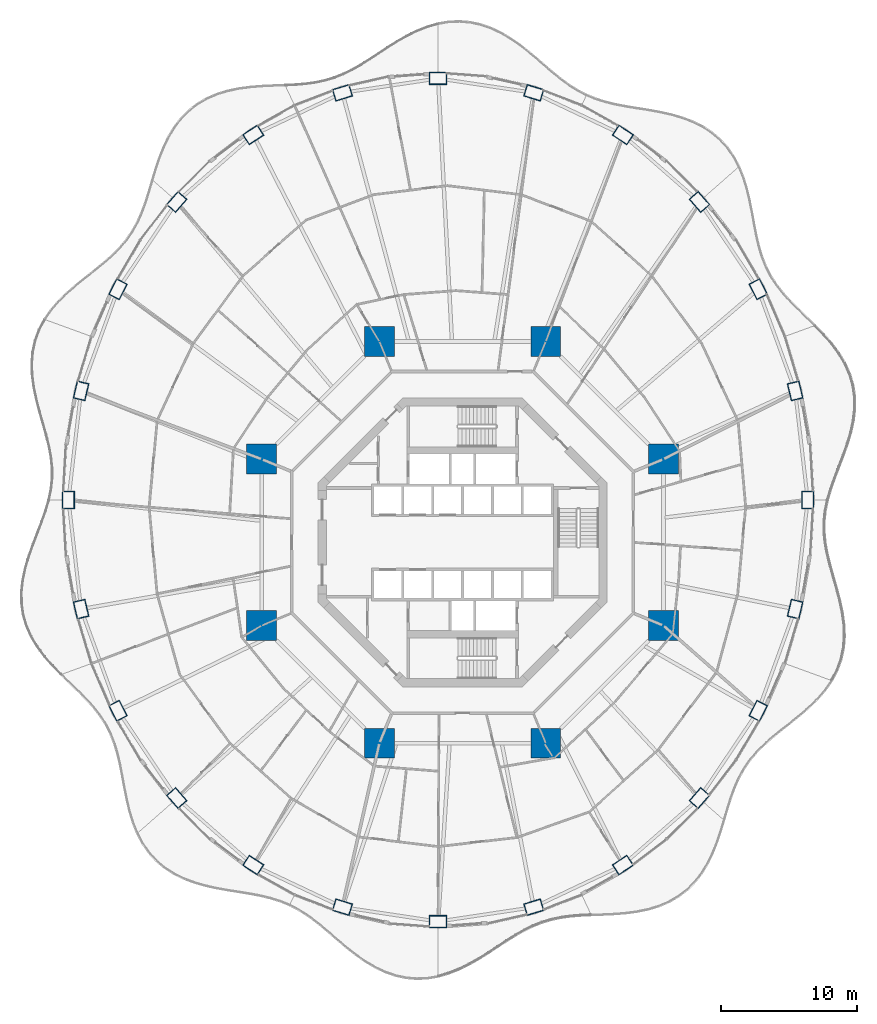
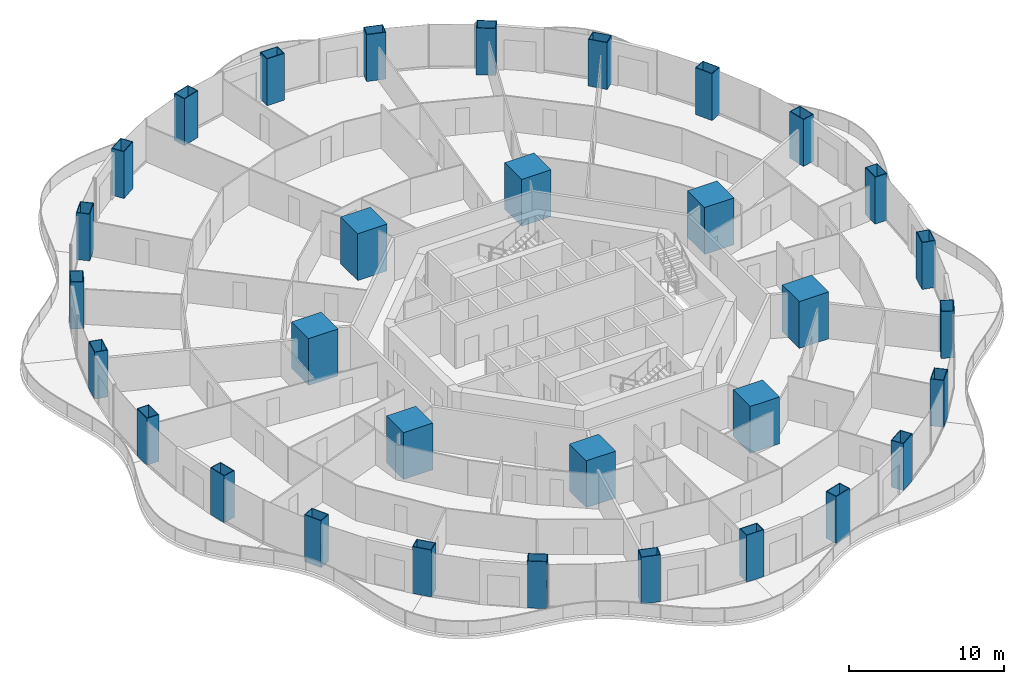
# One storey, part 1 of 22: 32 columns.
"""IFC4 building model written with IfcOpenShell, lengths in metres."""

from ifc_helpers import new_model, si_unit, direction, frame, origin, origin_2d, place, context, subcontext, project, spatial, rectangle, hollow_rectangle, extrude, material, material_profile, profile_set, type_object, element, save


model = new_model("IFC4")

# Units and contexts
model_context = context("Model", 3, precision=1e-05, world=origin(), true_north=direction((0.0, 1.0)))
body_context = subcontext(model_context, "Body", "Model", "MODEL_VIEW")
ifc_project = project(units=[si_unit("LENGTHUNIT", "METRE"), si_unit("AREAUNIT", "SQUARE_METRE"), si_unit("VOLUMEUNIT", "CUBIC_METRE"), si_unit("PLANEANGLEUNIT", "RADIAN"), si_unit("MASSUNIT", "GRAM", prefix="KILO")], contexts=[model_context])

# Site, building, storey
site_placement = place(None, origin())
site = spatial("IfcSite", under=ifc_project, at=site_placement, CompositionType="ELEMENT")
building_placement = place(site_placement, origin())
building = spatial("IfcBuilding", under=site, at=building_placement, Name="Nagisa Residences", CompositionType="ELEMENT")
storey_placement = place(building_placement, frame((0.0, 0.0, 77.0)))
storey = spatial("IfcBuildingStorey", under=building, at=storey_placement, Name="L18", CompositionType="ELEMENT", Elevation=77.0)

# Columns
ifc_material_1 = material(Name="Concrete C80", Category="concrete")
ifc_material_profile_1 = material_profile(ifc_material_1, rectangle(XDim=2.199951171875, YDim=2.199951171875, at=origin_2d()), Name="C80 2200x2200")
ifc_profile_set_1 = profile_set([ifc_material_profile_1], Name="Concrete C80")
column_type_1 = type_object("IfcColumnType", Name="Inner megacolumn C80 2200x2200", PredefinedType="COLUMN", material=ifc_profile_set_1)
for number, where, z_axis, x_axis, name in (
    (1, (14.781982421875, 6.123046875, 0.0), (0.0, 0.0, 1.0), (1.0, 0.0, 0.0), "col:L18:i1"),
    (2, (6.123046875, 14.781982421875, 0.0), (0.0, 0.0, 1.0), (1.0, 0.0, 0.0), "col:L18:i2"),
    (3, (-6.123046875, 14.781982421875, 0.0), (0.0, 0.0, 1.0), (1.0, 0.0, 0.0), "col:L18:i3"),
    (4, (-14.781982421875, 6.123046875, 0.0), (0.0, 0.0, 1.0), (1.0, 0.0, 0.0), "col:L18:i4"),
    (5, (-14.781982421875, -6.123046875, 0.0), (0.0, 0.0, 1.0), (1.0, 0.0, 0.0), "col:L18:i5"),
    (6, (-6.123046875, -14.781982421875, 0.0), (0.0, 0.0, 1.0), (1.0, 0.0, 0.0), "col:L18:i6"),
    (7, (6.123046875, -14.781982421875, 0.0), (0.0, 0.0, 1.0), (1.0, 0.0, 0.0), "col:L18:i7"),
    (8, (14.781982421875, -6.123046875, 0.0), (0.0, 0.0, 1.0), (1.0, 0.0, 0.0), "col:L18:i8"),
):
    element("IfcColumn", number, at=place(storey_placement, frame(where, z_axis=z_axis, x_axis=x_axis)), inside=storey, type_object=column_type_1, Name=name, PredefinedType="COLUMN", context=body_context, shape_type="SweptSolid", body=[
        extrude(rectangle(XDim=2.199951171875, YDim=2.199951171875, at=origin_2d()), origin(), (0.0, 0.0, 1.0), 3.699951171875),
    ])
ifc_material_2 = material(Name="Steel ASTM A572 Gr 50", Category="steel")
ifc_material_profile_2 = material_profile(ifc_material_2, hollow_rectangle(XDim=1.300048828125, YDim=0.89990234375, WallThickness=0.044921875, at=origin_2d()), Name="BX 1300x900x45")
ifc_profile_set_2 = profile_set([ifc_material_profile_2], Name="Steel ASTM A572 Gr 50")
column_type_2 = type_object("IfcColumnType", Name="Perimeter column BX 1300x900x45", PredefinedType="COLUMN", material=ifc_profile_set_2)
for number, where, z_axis, x_axis, name in (
    (9, (25.39501953125, 3.11767578125, 0.0), (0.0, 0.0, 1.0), (0.0, 1.0, 0.0), "col:L18:p00"),
    (10, (24.46826171875, 11.14501953125, 0.0), (0.0, 0.0, 1.0), (-0.229202013103, 0.973378876486, 0.0), "col:L18:p01"),
    (11, (21.75146484375, 18.625244140625, 0.0), (0.0, 0.0, 1.0), (-0.452462697578, 0.891783329795, 0.0), "col:L18:p02"),
    (12, (17.4296875, 25.048583984375, 0.0), (0.0, 0.0, 1.0), (-0.660114607735, 0.751164898445, 0.0), "col:L18:p03"),
    (13, (11.797607421875, 29.9775390625, 0.0), (0.0, 0.0, 1.0), (-0.835766105673, 0.54908561865, 0.0), "col:L18:p04"),
    (14, (5.238525390625, 33.075927734375, 0.0), (0.0, 0.0, 1.0), (-0.956524583408, 0.291651712384, 0.0), "col:L18:p05"),
    (15, (-1.800048828125, 34.1328125, 0.0), (0.0, 0.0, 1.0), (-1.0, 0.0, 0.0), "col:L18:p06"),
    (16, (-8.838623046875, 33.075927734375, 0.0), (0.0, 0.0, 1.0), (-0.956524583408, -0.291651712384, 0.0), "col:L18:p07"),
    (17, (-15.3974609375, 29.9775390625, 0.0), (0.0, 0.0, 1.0), (-0.835766105673, -0.54908561865, 0.0), "col:L18:p08"),
    (18, (-21.02978515625, 25.048583984375, 0.0), (0.0, 0.0, 1.0), (-0.660114607735, -0.751164898445, 0.0), "col:L18:p09"),
    (19, (-25.3515625, 18.625244140625, 0.0), (0.0, 0.0, 1.0), (-0.452462697578, -0.891783329795, 0.0), "col:L18:p10"),
    (20, (-28.068359375, 11.14501953125, 0.0), (0.0, 0.0, 1.0), (-0.229202013103, -0.973378876486, 0.0), "col:L18:p11"),
    (21, (-28.9951171875, 3.11767578125, 0.0), (0.0, 0.0, 1.0), (0.0, -1.0, 0.0), "col:L18:p12"),
    (22, (-28.068359375, -4.90966796875, 0.0), (0.0, 0.0, 1.0), (0.229202013103, -0.973378876486, 0.0), "col:L18:p13"),
    (23, (-25.3515625, -12.389892578125, 0.0), (0.0, 0.0, 1.0), (0.452462697578, -0.891783329795, 0.0), "col:L18:p14"),
    (24, (-21.02978515625, -18.813232421875, 0.0), (0.0, 0.0, 1.0), (0.660114607735, -0.751164898445, 0.0), "col:L18:p15"),
    (25, (-15.3974609375, -23.7421875, 0.0), (0.0, 0.0, 1.0), (0.835766105673, -0.54908561865, 0.0), "col:L18:p16"),
    (26, (-8.838623046875, -26.840576171875, 0.0), (0.0, 0.0, 1.0), (0.956524583408, -0.291651712384, 0.0), "col:L18:p17"),
    (27, (-1.800048828125, -27.897216796875, 0.0), (0.0, 0.0, 1.0), (1.0, 0.0, 0.0), "col:L18:p18"),
    (28, (5.238525390625, -26.840576171875, 0.0), (0.0, 0.0, 1.0), (0.956524583408, 0.291651712384, 0.0), "col:L18:p19"),
    (29, (11.797607421875, -23.7421875, 0.0), (0.0, 0.0, 1.0), (0.835766105673, 0.54908561865, 0.0), "col:L18:p20"),
    (30, (17.4296875, -18.813232421875, 0.0), (0.0, 0.0, 1.0), (0.660114607735, 0.751164898445, 0.0), "col:L18:p21"),
    (31, (21.75146484375, -12.389892578125, 0.0), (0.0, 0.0, 1.0), (0.452462697578, 0.891783329795, 0.0), "col:L18:p22"),
    (32, (24.46826171875, -4.90966796875, 0.0), (0.0, 0.0, 1.0), (0.229202013103, 0.973378876486, 0.0), "col:L18:p23"),
):
    element("IfcColumn", number, at=place(storey_placement, frame(where, z_axis=z_axis, x_axis=x_axis)), inside=storey, type_object=column_type_2, Name=name, PredefinedType="COLUMN", context=body_context, shape_type="SweptSolid", body=[
        extrude(hollow_rectangle(XDim=1.300048828125, YDim=0.89990234375, WallThickness=0.044921875, at=origin_2d()), origin(), (0.0, 0.0, 1.0), 3.699951171875),
    ])

save(model, "model.ifc")
